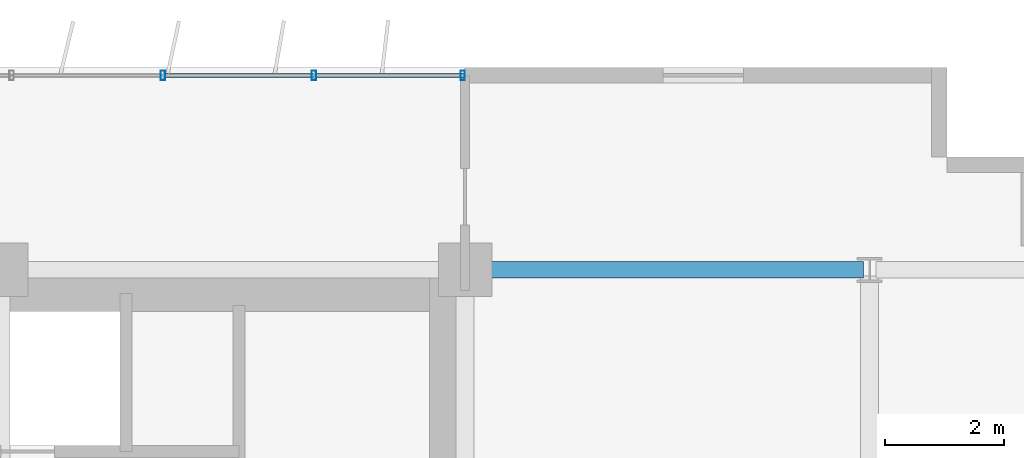
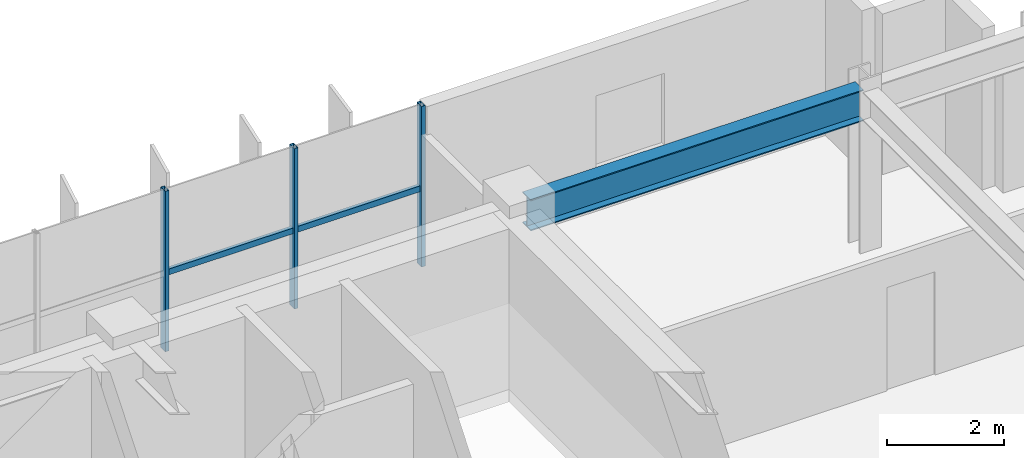
# One storey, part 15 of 25: 5 members, 1 beam, 1 element without a shape of its own.
"""IFC4 building model written with IfcOpenShell, lengths in metres."""

from ifc_helpers import new_model, si_unit, direction, frame, origin, origin_2d, place, context, subcontext, project, spatial, hollow_rectangle, i_section, extrude, source, transform, mapped, material, material_profile, profile_set, type_object, element, aggregate, save


model = new_model("IFC4")

# Units and contexts
model_context = context("Model", 3, precision=1e-05, world=origin(), true_north=direction((0.0, 1.0)))
body_context = subcontext(model_context, "Body", "Model", "MODEL_VIEW")
ifc_project = project(units=[si_unit("LENGTHUNIT", "METRE"), si_unit("AREAUNIT", "SQUARE_METRE"), si_unit("VOLUMEUNIT", "CUBIC_METRE"), si_unit("PLANEANGLEUNIT", "RADIAN"), si_unit("MASSUNIT", "GRAM", prefix="KILO")], contexts=[model_context])

# Site, building, storey
site_placement = place(None, origin())
site = spatial("IfcSite", under=ifc_project, at=site_placement, CompositionType="ELEMENT")
building_placement = place(site_placement, origin())
building = spatial("IfcBuilding", under=site, at=building_placement, Name="Trelvane Seafront Commons", CompositionType="ELEMENT")
storey_placement = place(building_placement, frame((0.0, 0.0, 66.699951171875)))
storey = spatial("IfcBuildingStorey", under=building, at=storey_placement, Name="L17", CompositionType="ELEMENT", Elevation=66.699951171875)

# Beam
ifc_material_1 = material(Name="Steel SM355 (S355)", Category="steel")
ifc_material_profile_1 = material_profile(ifc_material_1, i_section(OverallWidth=0.280029296875, OverallDepth=0.64990234375, WebThickness=0.012939453125, FlangeThickness=0.02197265625, at=origin_2d()), Name="H-650x280x13x22")
ifc_profile_set_1 = profile_set([ifc_material_profile_1], Name="Steel SM355 (S355)")
beam_type = type_object("IfcBeamType", Name="STR-BM-H650", PredefinedType="BEAM", material=ifc_profile_set_1)
shared_shape_1 = source(origin(), body_context, "Body", "SweptSolid", [
    extrude(i_section(OverallWidth=0.280029296875, OverallDepth=0.64990234375, WebThickness=0.012939453125, FlangeThickness=0.02197265625, at=origin_2d()), origin(), (0.0, 0.0, 1.0), 6.545166015625),
])
beam_placement = place(storey_placement, frame((58.949951171875, 45.10009765625, 3.01513671875), z_axis=(1.0, 0.0, 0.0), x_axis=(0.0, 1.0, 0.0)))
element("IfcBeam", 1, at=beam_placement, inside=storey, type_object=beam_type, Name="L17 Primary Girder G-35", PredefinedType="BEAM", context=body_context, shape_type="MappedRepresentation", body=[
    mapped(shared_shape_1, transform((0.0, 0.0, 0.0), x_axis=(1.0, 0.0, 0.0), y_axis=(0.0, 1.0, 0.0), z_axis=(0.0, 0.0, 1.0), scale=1.0)),
])

# Curtain wall, members
ifc_material_2 = material(Name="Anodised pale-silver aluminium", Category="aluminium")
curtain_wall_type = type_object("IfcCurtainWallType", Name="ARCH-CW2-LOWTOWER", PredefinedType="NOTDEFINED", material=ifc_material_2)
curtain_wall_placement = place(storey_placement, origin())
curtain_wall = element("IfcCurtainWall", 2, at=curtain_wall_placement, inside=storey, type_object=curtain_wall_type, Name="CW-L17-0041", PredefinedType="NOTDEFINED")
ifc_material_profile_2 = material_profile(ifc_material_2, hollow_rectangle(XDim=0.074951171875, YDim=0.159912109375, WallThickness=0.00390625, at=origin_2d()), Name="MULL-75x160x4")
ifc_profile_set_2 = profile_set([ifc_material_profile_2], Name="Anodised pale-silver aluminium")
member_type_1 = type_object("IfcMemberType", Name="ARCH-CW-MULL-160", PredefinedType="MULLION", material=ifc_profile_set_2)
shared_shape_2 = source(origin(), body_context, "Body", "SweptSolid", [
    extrude(hollow_rectangle(XDim=0.074951171875, YDim=0.159912109375, WallThickness=0.00390625, at=origin_2d()), origin(), (0.0, 0.0, 1.0), 3.340087890625),
])
member_1_placement = place(storey_placement, frame((53.717529296875, 48.3701171875, 0.0), z_axis=(0.0, 0.0, 1.0), x_axis=(1.0, 0.0, 0.0)))
member_1 = element("IfcMember", 3, at=member_1_placement, type_object=member_type_1, Name="CW-L17-0041-M15", PredefinedType="MULLION", context=body_context, shape_type="MappedRepresentation", body=[
    mapped(shared_shape_2, transform((0.0, 0.0, 0.0), x_axis=(1.0, 0.0, 0.0), y_axis=(0.0, 1.0, 0.0), z_axis=(0.0, 0.0, 1.0), scale=1.0)),
])
member_2_placement = place(storey_placement, frame((56.2587890625, 48.3701171875, 0.0), z_axis=(0.0, 0.0, 1.0), x_axis=(1.0, 0.0, 0.0)))
member_2 = element("IfcMember", 4, at=member_2_placement, type_object=member_type_1, Name="CW-L17-0041-M16", PredefinedType="MULLION", context=body_context, shape_type="MappedRepresentation", body=[
    mapped(shared_shape_2, transform((0.0, 0.0, 0.0), x_axis=(1.0, 0.0, 0.0), y_axis=(0.0, 1.0, 0.0), z_axis=(0.0, 0.0, 1.0), scale=1.0)),
])
member_3_placement = place(storey_placement, frame((58.760009765625, 48.3701171875, 0.0), z_axis=(0.0, 0.0, 1.0), x_axis=(1.0, 0.0, 0.0)))
member_3 = element("IfcMember", 5, at=member_3_placement, type_object=member_type_1, Name="CW-L17-0041-M17", PredefinedType="MULLION", context=body_context, shape_type="MappedRepresentation", body=[
    mapped(shared_shape_2, transform((0.0, 0.0, 0.0), x_axis=(1.0, 0.0, 0.0), y_axis=(0.0, 1.0, 0.0), z_axis=(0.0, 0.0, 1.0), scale=1.0)),
])
ifc_material_profile_3 = material_profile(ifc_material_2, hollow_rectangle(XDim=0.070068359375, YDim=0.1201171875, WallThickness=0.00390625, at=origin_2d()), Name="TRAN-70x120x4")
ifc_profile_set_3 = profile_set([ifc_material_profile_3], Name="Anodised pale-silver aluminium")
member_type_2 = type_object("IfcMemberType", Name="ARCH-CW-TRAN-120", PredefinedType="USERDEFINED", material=ifc_profile_set_3)
shared_shape_3 = source(origin(), body_context, "Body", "SweptSolid", [
    extrude(hollow_rectangle(XDim=0.070068359375, YDim=0.1201171875, WallThickness=0.00390625, at=origin_2d()), origin(), (0.0, 0.0, 1.0), 2.517333984375),
])
member_4_placement = place(storey_placement, frame((53.7294921875, 48.3701171875, 1.60302734375), z_axis=(1.0, 0.0, 0.0), x_axis=(0.0, 1.0, 0.0)))
member_4 = element("IfcMember", 6, at=member_4_placement, type_object=member_type_2, Name="CW-L17-0041-T15", ObjectType="TRANSOM", PredefinedType="USERDEFINED", context=body_context, shape_type="MappedRepresentation", body=[
    mapped(shared_shape_3, transform((0.0, 0.0, 0.0), x_axis=(1.0, 0.0, 0.0), y_axis=(0.0, 1.0, 0.0), z_axis=(0.0, 0.0, 1.0), scale=1.0)),
])
member_5_placement = place(storey_placement, frame((56.270751953125, 48.3701171875, 1.60302734375), z_axis=(1.0, 0.0, 0.0), x_axis=(0.0, 1.0, 0.0)))
member_5 = element("IfcMember", 7, at=member_5_placement, type_object=member_type_2, Name="CW-L17-0041-T16", ObjectType="TRANSOM", PredefinedType="USERDEFINED", context=body_context, shape_type="MappedRepresentation", body=[
    mapped(shared_shape_3, transform((0.0, 0.0, 0.0), x_axis=(1.0, 0.0, 0.0), y_axis=(0.0, 1.0, 0.0), z_axis=(0.0, 0.0, 1.0), scale=1.0)),
])
aggregate(curtain_wall, [member_1, member_2, member_3, member_4, member_5])

save(model, "model.ifc")
